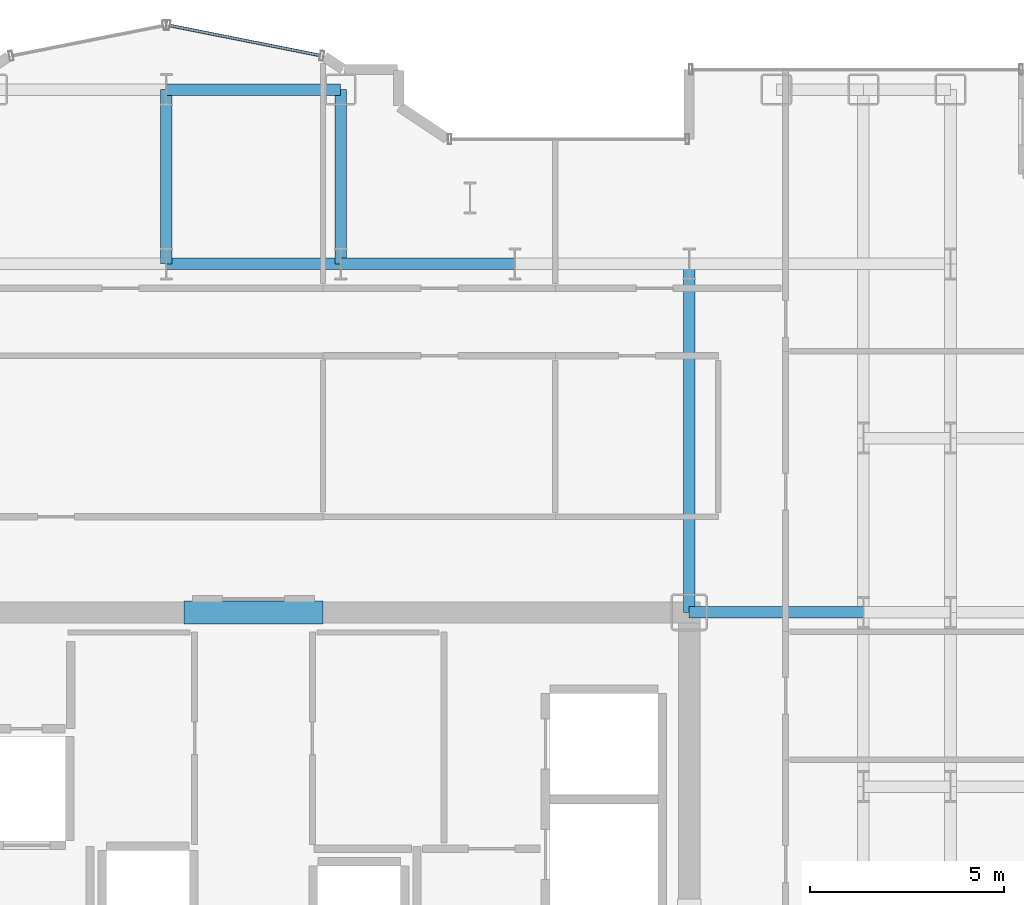
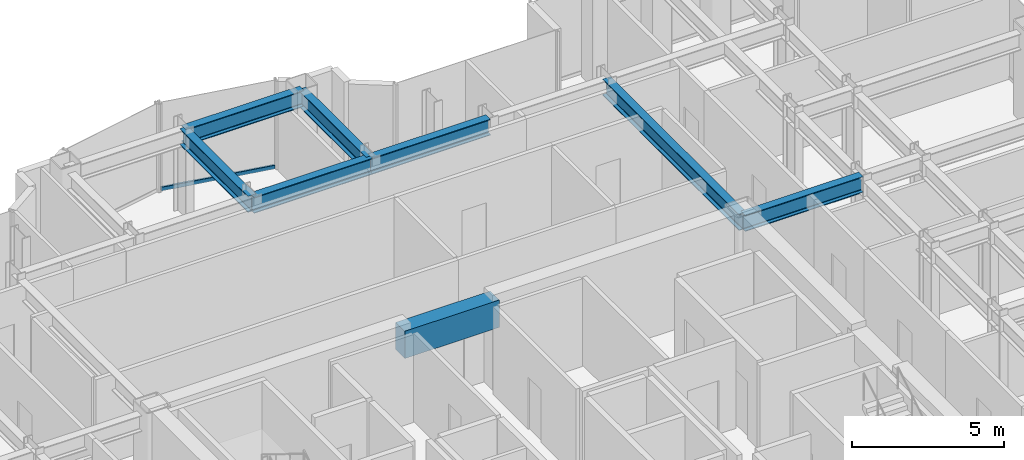
# One storey, part 12 of 23: 8 beams, 1 member, 1 element without a shape of its own.
"""IFC4 building model written with IfcOpenShell, lengths in metres."""

from ifc_helpers import new_model, si_unit, direction, frame, origin, origin_2d, place, context, subcontext, project, spatial, rectangle, hollow_rectangle, i_section, extrude, source, transform, mapped, material, layer, layer_set, material_profile, profile_set, type_object, element, aggregate, save


model = new_model("IFC4")

# Units and contexts
model_context = context("Model", 3, precision=1e-05, world=origin(), true_north=direction((0.0, 1.0)))
body_context = subcontext(model_context, "Body", "Model", "MODEL_VIEW")
ifc_project = project(units=[si_unit("LENGTHUNIT", "METRE"), si_unit("AREAUNIT", "SQUARE_METRE"), si_unit("VOLUMEUNIT", "CUBIC_METRE"), si_unit("PLANEANGLEUNIT", "RADIAN"), si_unit("MASSUNIT", "GRAM", prefix="KILO")], contexts=[model_context])

# Site, building, storey
site_placement = place(None, origin())
site = spatial("IfcSite", under=ifc_project, at=site_placement, CompositionType="ELEMENT")
building_placement = place(site_placement, origin())
building = spatial("IfcBuilding", under=site, at=building_placement, Name="Nefas-Gora Pilgrimage Tower", CompositionType="ELEMENT")
storey_placement = place(building_placement, frame((0.0, 0.0, 175.39990234375)))
storey = spatial("IfcBuildingStorey", under=building, at=storey_placement, Name="L43", CompositionType="ELEMENT", Elevation=175.39990234375)

# Beams
ifc_material_1 = material(Name="Concrete C60/75", Category="concrete")
ifc_material_profile_1 = material_profile(ifc_material_1, rectangle(XDim=0.60009765625, YDim=1.10009765625, at=origin_2d()), Name="RC 600x1100")
ifc_profile_set_1 = profile_set([ifc_material_profile_1], Name="Concrete C60/75")
beam_type_1 = type_object("IfcBeamType", Name="BM-LIN-RC1100", PredefinedType="LINTEL", material=ifc_profile_set_1)
shared_shape_1 = source(origin(), body_context, "Body", "SweptSolid", [
    extrude(rectangle(XDim=0.60009765625, YDim=1.10009765625, at=origin_2d()), origin(), (0.0, 0.0, 1.0), 3.60009765625),
])
beam_1_placement = place(storey_placement, frame((-1.800048828125, 9.0, 3.0), z_axis=(1.0, 0.0, 0.0), x_axis=(0.0, 1.0, 0.0)))
element("IfcBeam", 1, at=beam_1_placement, inside=storey, type_object=beam_type_1, Name="L43 Core Coupling Lintel Beam N", PredefinedType="LINTEL", context=body_context, shape_type="MappedRepresentation", body=[
    mapped(shared_shape_1, transform((0.0, 0.0, 0.0), x_axis=(1.0, 0.0, 0.0), y_axis=(0.0, 1.0, 0.0), z_axis=(0.0, 0.0, 1.0), scale=1.0)),
])
ifc_material_2 = material(Name="Steel S355", Category="steel")
ifc_material_profile_2 = material_profile(ifc_material_2, i_section(OverallWidth=0.300048828125, OverallDepth=0.64990234375, WebThickness=0.01611328125, FlangeThickness=0.031005859375, FilletRadius=0.027099609375, at=origin_2d()), Name="HEB 650")
ifc_profile_set_2 = profile_set([ifc_material_profile_2], Name="Steel S355")
beam_type_2 = type_object("IfcBeamType", Name="BM-GIR-HEB650", PredefinedType="BEAM", material=ifc_profile_set_2)
shared_shape_2 = source(origin(), body_context, "Body", "SweptSolid", [
    extrude(i_section(OverallWidth=0.300048828125, OverallDepth=0.64990234375, WebThickness=0.01611328125, FlangeThickness=0.031005859375, FilletRadius=0.027099609375, at=origin_2d()), origin(), (0.0, 0.0, 1.0), 9.0),
])
beam_2_placement = place(storey_placement, frame((11.25, 9.0, 3.22509765625), z_axis=(0.0, 1.0, 0.0), x_axis=(-1.0, 0.0, 0.0)))
element("IfcBeam", 2, at=beam_2_placement, inside=storey, type_object=beam_type_2, Name="L43 G-03 beam", PredefinedType="BEAM", context=body_context, shape_type="MappedRepresentation", body=[
    mapped(shared_shape_2, transform((0.0, 0.0, 0.0), x_axis=(1.0, 0.0, 0.0), y_axis=(0.0, 1.0, 0.0), z_axis=(0.0, 0.0, 1.0), scale=1.0)),
])
shared_shape_3 = source(origin(), body_context, "Body", "SweptSolid", [
    extrude(i_section(OverallWidth=0.300048828125, OverallDepth=0.64990234375, WebThickness=0.01611328125, FlangeThickness=0.031005859375, FilletRadius=0.027099609375, at=origin_2d()), origin(), (0.0, 0.0, 1.0), 4.5),
])
for number, where, z_axis, x_axis, name in (
    (3, (-2.25, 18.0, 3.22509765625), (0.0, 1.0, 0.0), (-1.0, 0.0, 0.0), "L43 G-03 beam"),
    (4, (-2.25, 18.0, 3.22509765625), (1.0, 0.0, 0.0), (0.0, 1.0, 0.0), "L43 G-03 beam"),
    (5, (-2.25, 22.5, 3.22509765625), (1.0, 0.0, 0.0), (0.0, 1.0, 0.0), "L43 G-03 beam"),
    (6, (2.25, 18.0, 3.22509765625), (0.0, 1.0, 0.0), (-1.0, 0.0, 0.0), "L43 G-03 beam"),
    (7, (2.25, 18.0, 3.22509765625), (1.0, 0.0, 0.0), (0.0, 1.0, 0.0), "L43 G-03 beam"),
    (8, (11.25, 9.0, 3.22509765625), (1.0, 0.0, 0.0), (0.0, 1.0, 0.0), "L43 G-03 beam"),
):
    element("IfcBeam", number, at=place(storey_placement, frame(where, z_axis=z_axis, x_axis=x_axis)), inside=storey, type_object=beam_type_2, Name=name, PredefinedType="BEAM", context=body_context, shape_type="MappedRepresentation", body=[
        mapped(shared_shape_3, transform((0.0, 0.0, 0.0), x_axis=(1.0, 0.0, 0.0), y_axis=(0.0, 1.0, 0.0), z_axis=(0.0, 0.0, 1.0), scale=1.0)),
    ])

# Curtain wall, member
ifc_material_3 = material(Name="Dark ceramic-fritted solar-control aluminium-glass curtain wall", Category="aluminium")
ifc_layer = layer(ifc_material_3, 0.219970703125)
ifc_layer_set = layer_set([ifc_layer], Name="Dark ceramic-fritted solar-control aluminium-glass curtain wall")
curtain_wall_type = type_object("IfcCurtainWallType", Name="CW-SYS-5", PredefinedType="NOTDEFINED", material=ifc_layer_set)
curtain_wall_placement = place(storey_placement, origin())
curtain_wall = element("IfcCurtainWall", 9, at=curtain_wall_placement, inside=storey, type_object=curtain_wall_type, Name="L43 Unitised Curtain Wall CW5", PredefinedType="NOTDEFINED")
ifc_material_4 = material(Name="Anodised architectural aluminium", Category="aluminium")
ifc_material_profile_3 = material_profile(ifc_material_4, hollow_rectangle(XDim=0.080078125, YDim=0.159912109375, WallThickness=0.00439453125, InnerFilletRadius=0.00439453125, OuterFilletRadius=0.009033203125, at=origin_2d()), Name="ALU TRANSOM 80x160")
ifc_profile_set_3 = profile_set([ifc_material_profile_3], Name="Anodised architectural aluminium")
member_type = type_object("IfcMemberType", Name="CWM-TRN-5", PredefinedType="USERDEFINED", material=ifc_profile_set_3)
shared_shape_4 = source(origin(), body_context, "Body", "SweptSolid", [
    extrude(hollow_rectangle(XDim=0.080078125, YDim=0.159912109375, WallThickness=0.00439453125, InnerFilletRadius=0.00439453125, OuterFilletRadius=0.009033203125, at=origin_2d()), origin(), (0.0, 0.0, 1.0), 3.95654296875),
])
member_placement = place(storey_placement, frame((1.718994140625, 23.3828125, 0.050048828125), z_axis=(-0.980781880918, 0.195107411605, 0.0), x_axis=(-0.195107411605, -0.980781880918, 0.0)))
member = element("IfcMember", 10, at=member_placement, type_object=member_type, Name="CW5 Spandrel Transom", ObjectType="TRANSOM", PredefinedType="USERDEFINED", context=body_context, shape_type="MappedRepresentation", body=[
    mapped(shared_shape_4, transform((0.0, 0.0, 0.0), x_axis=(1.0, 0.0, 0.0), y_axis=(0.0, 1.0, 0.0), z_axis=(0.0, 0.0, 1.0), scale=1.0)),
])
aggregate(curtain_wall, [member])

save(model, "model.ifc")
